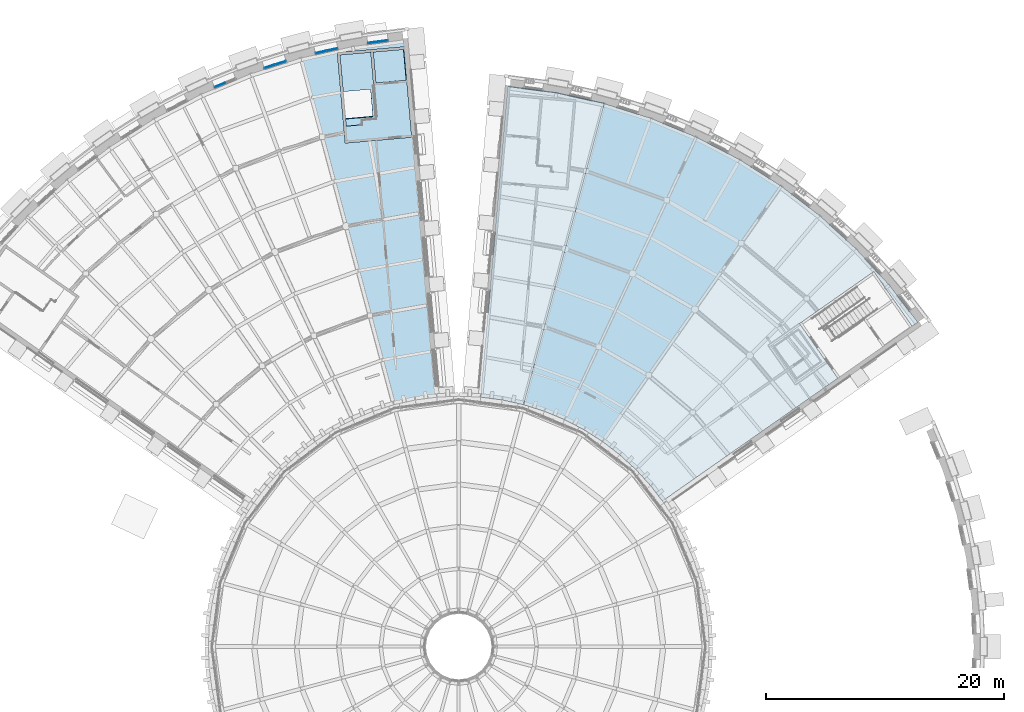
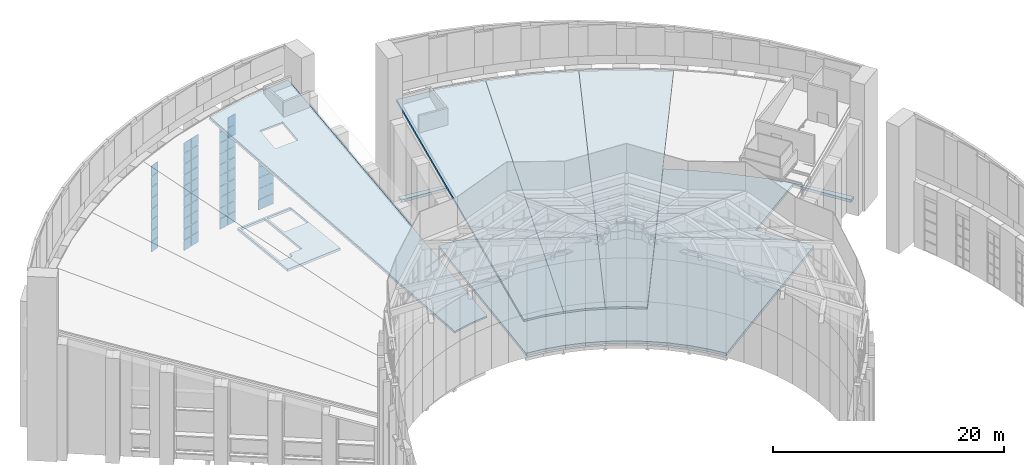
# One storey, part 49 of 82: 53 plates, 6 slabs, 4 elements without a shape of their own.
"""IFC4 building model written with IfcOpenShell, lengths in metres."""

from ifc_helpers import new_model, si_unit, direction, frame, origin, origin_2d, place, context, subcontext, project, spatial, polyline, rectangle, outline, extrude, material, layer, layer_set, type_object, element, aggregate, save


model = new_model("IFC4")

# Units and contexts
model_context = context("Model", 3, precision=1e-05, world=origin(), true_north=direction((0.0, 1.0)))
body_context = subcontext(model_context, "Body", "Model", "MODEL_VIEW")
ifc_project = project(units=[si_unit("LENGTHUNIT", "METRE"), si_unit("AREAUNIT", "SQUARE_METRE"), si_unit("VOLUMEUNIT", "CUBIC_METRE"), si_unit("PLANEANGLEUNIT", "RADIAN"), si_unit("MASSUNIT", "GRAM", prefix="KILO")], contexts=[model_context])

# Site, building, storey
site_placement = place(None, origin())
site = spatial("IfcSite", under=ifc_project, at=site_placement, CompositionType="ELEMENT")
building_placement = place(site_placement, origin())
building = spatial("IfcBuilding", under=site, at=building_placement, Name="Volute Hill Aquarium", CompositionType="ELEMENT")
storey_placement = place(building_placement, frame((0.0, 0.0, 13.800048828125)))
storey = spatial("IfcBuildingStorey", under=building, at=storey_placement, Name="L04", CompositionType="ELEMENT", Elevation=13.800048828125)

# Slab
ifc_material_1 = material(Name="Concrete C30/37", Category="concrete")
ifc_layer_1 = layer(ifc_material_1, 0.25)
ifc_layer_set_1 = layer_set([ifc_layer_1], Name="Core floor slab 250")
slab_type_1 = type_object("IfcSlabType", Name="Core floor slab 250", PredefinedType="FLOOR", material=ifc_layer_set_1)
slab_1_placement = place(storey_placement, frame((0.0, 0.0, -0.25)))
element("IfcSlab", 1, at=slab_1_placement, inside=storey, type_object=slab_type_1, Name="cs/S6-A/L04", PredefinedType="FLOOR", context=body_context, shape_type="SweptSolid", body=[
    extrude(outline(polyline([(-3.938232421875, 42.71923828125), (-4.6005859375, 50.290283203125), (-10.17919921875, 49.80224609375), (-9.516845703125, 42.231201171875), (-3.938232421875, 42.71923828125)]), holes=[polyline([(-6.94677734375, 47.2744140625), (-7.17333984375, 49.864501953125), (-4.633056640625, 50.0869140625), (-4.406494140625, 47.49658203125), (-6.94677734375, 47.2744140625)]), polyline([(-8.183837890625, 44.204833984375), (-8.144775390625, 43.758544921875), (-9.43994140625, 43.645263671875), (-9.962646484375, 49.62060546875), (-7.37255859375, 49.84716796875), (-6.888916015625, 44.318115234375), (-8.183837890625, 44.204833984375)])]), origin(), (0.0, 0.0, 1.0), 0.25),
])

# Curtain wall, plates
ifc_material_2 = material(Name="Aluminium", Category="aluminium")
ifc_layer_2 = layer(ifc_material_2, 0.25)
ifc_layer_set_2 = layer_set([ifc_layer_2], Name="Curtain wall niche S6 module 1734")
curtain_wall_type_1 = type_object("IfcCurtainWallType", Name="Curtain wall niche S6 module 1734", PredefinedType="NOTDEFINED", material=ifc_layer_set_2)
curtain_wall_1_placement = place(storey_placement, origin())
curtain_wall_1 = element("IfcCurtainWall", 2, at=curtain_wall_1_placement, inside=storey, type_object=curtain_wall_type_1, Name="Curtain wall CW S6 L04 1", PredefinedType="NOTDEFINED")
ifc_material_3 = material(Name="Glass, low-iron laminated", Category="glass")
ifc_layer_3 = layer(ifc_material_3, 0.0439453125)
ifc_layer_set_3 = layer_set([ifc_layer_3], Name="Curtain wall glass panel S6 44")
plate_type_1 = type_object("IfcPlateType", Name="Curtain wall glass panel S6 44", PredefinedType="CURTAIN_PANEL", material=ifc_layer_set_3)
plate_1_placement = place(storey_placement, frame((-6.779052734375, 50.72509765625, 1.62451171875), z_axis=(0.0, 0.0, 1.0), x_axis=(-0.99144508504, -0.130524493298, 0.0)))
plate_1 = element("IfcPlate", 3, at=plate_1_placement, type_object=plate_type_1, Name="CW panel 1.2", PredefinedType="CURTAIN_PANEL", context=body_context, shape_type="SweptSolid", body=[
    extrude(rectangle(XDim=1.633544921875, YDim=0.0439453125, at=origin_2d()), origin(), (0.0, 0.0, 1.0), 1.099365234375),
])
plate_2_placement = place(storey_placement, frame((-6.779052734375, 50.72509765625, 2.77392578125), z_axis=(0.0, 0.0, 1.0), x_axis=(-0.99144508504, -0.130524493298, 0.0)))
plate_2 = element("IfcPlate", 4, at=plate_2_placement, type_object=plate_type_1, Name="CW panel 1.3", PredefinedType="CURTAIN_PANEL", context=body_context, shape_type="SweptSolid", body=[
    extrude(rectangle(XDim=1.633544921875, YDim=0.0439453125, at=origin_2d()), origin(), (0.0, 0.0, 1.0), 1.099365234375),
])
plate_3_placement = place(storey_placement, frame((-6.779052734375, 50.72509765625, 3.9228515625), z_axis=(0.0, 0.0, 1.0), x_axis=(-0.99144508504, -0.130524493298, 0.0)))
plate_3 = element("IfcPlate", 5, at=plate_3_placement, type_object=plate_type_1, Name="CW panel 1.4", PredefinedType="CURTAIN_PANEL", context=body_context, shape_type="SweptSolid", body=[
    extrude(rectangle(XDim=1.633544921875, YDim=0.0439453125, at=origin_2d()), origin(), (0.0, 0.0, 1.0), 1.099365234375),
])
plate_4_placement = place(storey_placement, frame((-6.779052734375, 50.72509765625, 5.072265625), z_axis=(0.0, 0.0, 1.0), x_axis=(-0.99144508504, -0.130524493298, 0.0)))
plate_4 = element("IfcPlate", 6, at=plate_4_placement, type_object=plate_type_1, Name="CW panel 1.5", PredefinedType="CURTAIN_PANEL", context=body_context, shape_type="SweptSolid", body=[
    extrude(rectangle(XDim=1.633544921875, YDim=0.0439453125, at=origin_2d()), origin(), (0.0, 0.0, 1.0), 1.099365234375),
])

ifc_material_4 = material(Name="Aluminium", Category="aluminium")
ifc_layer_4 = layer(ifc_material_4, 0.25)
ifc_layer_set_4 = layer_set([ifc_layer_4], Name="Curtain wall niche S6 module 967")
curtain_wall_type_2 = type_object("IfcCurtainWallType", Name="Curtain wall niche S6 module 967", PredefinedType="NOTDEFINED", material=ifc_layer_set_4)
curtain_wall_2_placement = place(storey_placement, origin())
curtain_wall_2 = element("IfcCurtainWall", 7, at=curtain_wall_2_placement, inside=storey, type_object=curtain_wall_type_2, Name="Curtain wall CW S6 L04 2", PredefinedType="NOTDEFINED")
plate_5_placement = place(storey_placement, frame((-10.61669921875, 50.064697265625, 1.6240234375), z_axis=(0.0, 0.0, 1.0), x_axis=(-0.976298264105, -0.216429433084, 0.0)))
plate_5 = element("IfcPlate", 8, at=plate_5_placement, type_object=plate_type_1, Name="CW panel 1.2", PredefinedType="CURTAIN_PANEL", context=body_context, shape_type="SweptSolid", body=[
    extrude(rectangle(XDim=0.891845703125, YDim=0.0439453125, at=origin_2d()), origin(), (0.0, 0.0, 1.0), 1.09912109375),
])
plate_6_placement = place(storey_placement, frame((-10.61669921875, 50.064697265625, 2.773193359375), z_axis=(0.0, 0.0, 1.0), x_axis=(-0.976298264105, -0.216429433084, 0.0)))
plate_6 = element("IfcPlate", 9, at=plate_6_placement, type_object=plate_type_1, Name="CW panel 1.3", PredefinedType="CURTAIN_PANEL", context=body_context, shape_type="SweptSolid", body=[
    extrude(rectangle(XDim=0.891845703125, YDim=0.0439453125, at=origin_2d()), origin(), (0.0, 0.0, 1.0), 1.09912109375),
])
plate_7_placement = place(storey_placement, frame((-10.61669921875, 50.064697265625, 3.92236328125), z_axis=(0.0, 0.0, 1.0), x_axis=(-0.976298264105, -0.216429433084, 0.0)))
plate_7 = element("IfcPlate", 10, at=plate_7_placement, type_object=plate_type_1, Name="CW panel 1.4", PredefinedType="CURTAIN_PANEL", context=body_context, shape_type="SweptSolid", body=[
    extrude(rectangle(XDim=0.891845703125, YDim=0.0439453125, at=origin_2d()), origin(), (0.0, 0.0, 1.0), 1.09912109375),
])
plate_8_placement = place(storey_placement, frame((-10.61669921875, 50.064697265625, 5.071533203125), z_axis=(0.0, 0.0, 1.0), x_axis=(-0.976298264105, -0.216429433084, 0.0)))
plate_8 = element("IfcPlate", 11, at=plate_8_placement, type_object=plate_type_1, Name="CW panel 1.5", PredefinedType="CURTAIN_PANEL", context=body_context, shape_type="SweptSolid", body=[
    extrude(rectangle(XDim=0.891845703125, YDim=0.0439453125, at=origin_2d()), origin(), (0.0, 0.0, 1.0), 1.09912109375),
])
plate_9_placement = place(storey_placement, frame((-10.61669921875, 50.064697265625, 6.220703125), z_axis=(0.0, 0.0, 1.0), x_axis=(-0.976298264105, -0.216429433084, 0.0)))
plate_9 = element("IfcPlate", 12, at=plate_9_placement, type_object=plate_type_1, Name="CW panel 1.6", PredefinedType="CURTAIN_PANEL", context=body_context, shape_type="SweptSolid", body=[
    extrude(rectangle(XDim=0.891845703125, YDim=0.0439453125, at=origin_2d()), origin(), (0.0, 0.0, 1.0), 1.09912109375),
])
plate_10_placement = place(storey_placement, frame((-10.61669921875, 50.064697265625, 7.369873046875), z_axis=(0.0, 0.0, 1.0), x_axis=(-0.976298264105, -0.216429433084, 0.0)))
plate_10 = element("IfcPlate", 13, at=plate_10_placement, type_object=plate_type_1, Name="CW panel 1.7", PredefinedType="CURTAIN_PANEL", context=body_context, shape_type="SweptSolid", body=[
    extrude(rectangle(XDim=0.891845703125, YDim=0.0439453125, at=origin_2d()), origin(), (0.0, 0.0, 1.0), 1.09912109375),
])
plate_11_placement = place(storey_placement, frame((-10.61669921875, 50.064697265625, 8.51904296875), z_axis=(0.0, 0.0, 1.0), x_axis=(-0.976298264105, -0.216429433084, 0.0)))
plate_11 = element("IfcPlate", 14, at=plate_11_placement, type_object=plate_type_1, Name="CW panel 1.8", PredefinedType="CURTAIN_PANEL", context=body_context, shape_type="SweptSolid", body=[
    extrude(rectangle(XDim=0.891845703125, YDim=0.0439453125, at=origin_2d()), origin(), (0.0, 0.0, 1.0), 1.09912109375),
])
plate_12_placement = place(storey_placement, frame((-10.61669921875, 50.064697265625, 9.66796875), z_axis=(0.0, 0.0, 1.0), x_axis=(-0.976298264105, -0.216429433084, 0.0)))
plate_12 = element("IfcPlate", 15, at=plate_12_placement, type_object=plate_type_1, Name="CW panel 1.9", PredefinedType="CURTAIN_PANEL", context=body_context, shape_type="SweptSolid", body=[
    extrude(rectangle(XDim=0.891845703125, YDim=0.0439453125, at=origin_2d()), origin(), (0.0, 0.0, 1.0), 1.09912109375),
])
plate_13_placement = place(storey_placement, frame((-10.61669921875, 50.064697265625, 10.817138671875), z_axis=(0.0, 0.0, 1.0), x_axis=(-0.976298264105, -0.216429433084, 0.0)))
plate_13 = element("IfcPlate", 16, at=plate_13_placement, type_object=plate_type_1, Name="CW panel 1.10", PredefinedType="CURTAIN_PANEL", context=body_context, shape_type="SweptSolid", body=[
    extrude(rectangle(XDim=0.891845703125, YDim=0.0439453125, at=origin_2d()), origin(), (0.0, 0.0, 1.0), 1.07421875),
])
plate_14_placement = place(storey_placement, frame((-11.536376953125, 49.86083984375, 1.6240234375), z_axis=(0.0, 0.0, 1.0), x_axis=(-0.976298264105, -0.216429433084, 0.0)))
plate_14 = element("IfcPlate", 17, at=plate_14_placement, type_object=plate_type_1, Name="CW panel 2.2", PredefinedType="CURTAIN_PANEL", context=body_context, shape_type="SweptSolid", body=[
    extrude(rectangle(XDim=0.891845703125, YDim=0.0439453125, at=origin_2d()), origin(), (0.0, 0.0, 1.0), 1.09912109375),
])
plate_15_placement = place(storey_placement, frame((-11.536376953125, 49.86083984375, 2.773193359375), z_axis=(0.0, 0.0, 1.0), x_axis=(-0.976298264105, -0.216429433084, 0.0)))
plate_15 = element("IfcPlate", 18, at=plate_15_placement, type_object=plate_type_1, Name="CW panel 2.3", PredefinedType="CURTAIN_PANEL", context=body_context, shape_type="SweptSolid", body=[
    extrude(rectangle(XDim=0.891845703125, YDim=0.0439453125, at=origin_2d()), origin(), (0.0, 0.0, 1.0), 1.09912109375),
])
plate_16_placement = place(storey_placement, frame((-11.536376953125, 49.86083984375, 3.92236328125), z_axis=(0.0, 0.0, 1.0), x_axis=(-0.976298264105, -0.216429433084, 0.0)))
plate_16 = element("IfcPlate", 19, at=plate_16_placement, type_object=plate_type_1, Name="CW panel 2.4", PredefinedType="CURTAIN_PANEL", context=body_context, shape_type="SweptSolid", body=[
    extrude(rectangle(XDim=0.891845703125, YDim=0.0439453125, at=origin_2d()), origin(), (0.0, 0.0, 1.0), 1.09912109375),
])
plate_17_placement = place(storey_placement, frame((-11.536376953125, 49.86083984375, 5.071533203125), z_axis=(0.0, 0.0, 1.0), x_axis=(-0.976298264105, -0.216429433084, 0.0)))
plate_17 = element("IfcPlate", 20, at=plate_17_placement, type_object=plate_type_1, Name="CW panel 2.5", PredefinedType="CURTAIN_PANEL", context=body_context, shape_type="SweptSolid", body=[
    extrude(rectangle(XDim=0.891845703125, YDim=0.0439453125, at=origin_2d()), origin(), (0.0, 0.0, 1.0), 1.09912109375),
])
plate_18_placement = place(storey_placement, frame((-11.536376953125, 49.86083984375, 6.220703125), z_axis=(0.0, 0.0, 1.0), x_axis=(-0.976298264105, -0.216429433084, 0.0)))
plate_18 = element("IfcPlate", 21, at=plate_18_placement, type_object=plate_type_1, Name="CW panel 2.6", PredefinedType="CURTAIN_PANEL", context=body_context, shape_type="SweptSolid", body=[
    extrude(rectangle(XDim=0.891845703125, YDim=0.0439453125, at=origin_2d()), origin(), (0.0, 0.0, 1.0), 1.09912109375),
])
plate_19_placement = place(storey_placement, frame((-11.536376953125, 49.86083984375, 7.369873046875), z_axis=(0.0, 0.0, 1.0), x_axis=(-0.976298264105, -0.216429433084, 0.0)))
plate_19 = element("IfcPlate", 22, at=plate_19_placement, type_object=plate_type_1, Name="CW panel 2.7", PredefinedType="CURTAIN_PANEL", context=body_context, shape_type="SweptSolid", body=[
    extrude(rectangle(XDim=0.891845703125, YDim=0.0439453125, at=origin_2d()), origin(), (0.0, 0.0, 1.0), 1.09912109375),
])
plate_20_placement = place(storey_placement, frame((-11.536376953125, 49.86083984375, 8.51904296875), z_axis=(0.0, 0.0, 1.0), x_axis=(-0.976298264105, -0.216429433084, 0.0)))
plate_20 = element("IfcPlate", 23, at=plate_20_placement, type_object=plate_type_1, Name="CW panel 2.8", PredefinedType="CURTAIN_PANEL", context=body_context, shape_type="SweptSolid", body=[
    extrude(rectangle(XDim=0.891845703125, YDim=0.0439453125, at=origin_2d()), origin(), (0.0, 0.0, 1.0), 1.09912109375),
])
plate_21_placement = place(storey_placement, frame((-11.536376953125, 49.86083984375, 9.66796875), z_axis=(0.0, 0.0, 1.0), x_axis=(-0.976298264105, -0.216429433084, 0.0)))
plate_21 = element("IfcPlate", 24, at=plate_21_placement, type_object=plate_type_1, Name="CW panel 2.9", PredefinedType="CURTAIN_PANEL", context=body_context, shape_type="SweptSolid", body=[
    extrude(rectangle(XDim=0.891845703125, YDim=0.0439453125, at=origin_2d()), origin(), (0.0, 0.0, 1.0), 1.09912109375),
])
plate_22_placement = place(storey_placement, frame((-11.536376953125, 49.86083984375, 10.817138671875), z_axis=(0.0, 0.0, 1.0), x_axis=(-0.976298264105, -0.216429433084, 0.0)))
plate_22 = element("IfcPlate", 25, at=plate_22_placement, type_object=plate_type_1, Name="CW panel 2.10", PredefinedType="CURTAIN_PANEL", context=body_context, shape_type="SweptSolid", body=[
    extrude(rectangle(XDim=0.891845703125, YDim=0.0439453125, at=origin_2d()), origin(), (0.0, 0.0, 1.0), 1.07421875),
])

curtain_wall_3_placement = place(storey_placement, origin())
curtain_wall_3 = element("IfcCurtainWall", 26, at=curtain_wall_3_placement, inside=storey, type_object=curtain_wall_type_2, Name="Curtain wall CW S6 L04 3", PredefinedType="NOTDEFINED")
plate_23_placement = place(storey_placement, frame((-14.939697265625, 48.948974609375, 1.6240234375), z_axis=(0.0, 0.0, 1.0), x_axis=(-0.953716759337, -0.300706406582, 0.0)))
plate_23 = element("IfcPlate", 27, at=plate_23_placement, type_object=plate_type_1, Name="CW panel 1.2", PredefinedType="CURTAIN_PANEL", context=body_context, shape_type="SweptSolid", body=[
    extrude(rectangle(XDim=0.891845703125, YDim=0.0439453125, at=origin_2d()), origin(), (0.0, 0.0, 1.0), 1.09912109375),
])
plate_24_placement = place(storey_placement, frame((-14.939697265625, 48.948974609375, 2.773193359375), z_axis=(0.0, 0.0, 1.0), x_axis=(-0.953716759337, -0.300706406582, 0.0)))
plate_24 = element("IfcPlate", 28, at=plate_24_placement, type_object=plate_type_1, Name="CW panel 1.3", PredefinedType="CURTAIN_PANEL", context=body_context, shape_type="SweptSolid", body=[
    extrude(rectangle(XDim=0.891845703125, YDim=0.0439453125, at=origin_2d()), origin(), (0.0, 0.0, 1.0), 1.09912109375),
])
plate_25_placement = place(storey_placement, frame((-14.939697265625, 48.948974609375, 3.92236328125), z_axis=(0.0, 0.0, 1.0), x_axis=(-0.953716759337, -0.300706406582, 0.0)))
plate_25 = element("IfcPlate", 29, at=plate_25_placement, type_object=plate_type_1, Name="CW panel 1.4", PredefinedType="CURTAIN_PANEL", context=body_context, shape_type="SweptSolid", body=[
    extrude(rectangle(XDim=0.891845703125, YDim=0.0439453125, at=origin_2d()), origin(), (0.0, 0.0, 1.0), 1.09912109375),
])
plate_26_placement = place(storey_placement, frame((-14.939697265625, 48.948974609375, 5.071533203125), z_axis=(0.0, 0.0, 1.0), x_axis=(-0.953716759337, -0.300706406582, 0.0)))
plate_26 = element("IfcPlate", 30, at=plate_26_placement, type_object=plate_type_1, Name="CW panel 1.5", PredefinedType="CURTAIN_PANEL", context=body_context, shape_type="SweptSolid", body=[
    extrude(rectangle(XDim=0.891845703125, YDim=0.0439453125, at=origin_2d()), origin(), (0.0, 0.0, 1.0), 1.09912109375),
])
plate_27_placement = place(storey_placement, frame((-14.939697265625, 48.948974609375, 6.220703125), z_axis=(0.0, 0.0, 1.0), x_axis=(-0.953716759337, -0.300706406582, 0.0)))
plate_27 = element("IfcPlate", 31, at=plate_27_placement, type_object=plate_type_1, Name="CW panel 1.6", PredefinedType="CURTAIN_PANEL", context=body_context, shape_type="SweptSolid", body=[
    extrude(rectangle(XDim=0.891845703125, YDim=0.0439453125, at=origin_2d()), origin(), (0.0, 0.0, 1.0), 1.09912109375),
])
plate_28_placement = place(storey_placement, frame((-14.939697265625, 48.948974609375, 7.369873046875), z_axis=(0.0, 0.0, 1.0), x_axis=(-0.953716759337, -0.300706406582, 0.0)))
plate_28 = element("IfcPlate", 32, at=plate_28_placement, type_object=plate_type_1, Name="CW panel 1.7", PredefinedType="CURTAIN_PANEL", context=body_context, shape_type="SweptSolid", body=[
    extrude(rectangle(XDim=0.891845703125, YDim=0.0439453125, at=origin_2d()), origin(), (0.0, 0.0, 1.0), 1.09912109375),
])
plate_29_placement = place(storey_placement, frame((-14.939697265625, 48.948974609375, 8.51904296875), z_axis=(0.0, 0.0, 1.0), x_axis=(-0.953716759337, -0.300706406582, 0.0)))
plate_29 = element("IfcPlate", 33, at=plate_29_placement, type_object=plate_type_1, Name="CW panel 1.8", PredefinedType="CURTAIN_PANEL", context=body_context, shape_type="SweptSolid", body=[
    extrude(rectangle(XDim=0.891845703125, YDim=0.0439453125, at=origin_2d()), origin(), (0.0, 0.0, 1.0), 1.09912109375),
])
plate_30_placement = place(storey_placement, frame((-14.939697265625, 48.948974609375, 9.66796875), z_axis=(0.0, 0.0, 1.0), x_axis=(-0.953716759337, -0.300706406582, 0.0)))
plate_30 = element("IfcPlate", 34, at=plate_30_placement, type_object=plate_type_1, Name="CW panel 1.9", PredefinedType="CURTAIN_PANEL", context=body_context, shape_type="SweptSolid", body=[
    extrude(rectangle(XDim=0.891845703125, YDim=0.0439453125, at=origin_2d()), origin(), (0.0, 0.0, 1.0), 1.09912109375),
])
plate_31_placement = place(storey_placement, frame((-14.939697265625, 48.948974609375, 10.817138671875), z_axis=(0.0, 0.0, 1.0), x_axis=(-0.953716759337, -0.300706406582, 0.0)))
plate_31 = element("IfcPlate", 35, at=plate_31_placement, type_object=plate_type_1, Name="CW panel 1.10", PredefinedType="CURTAIN_PANEL", context=body_context, shape_type="SweptSolid", body=[
    extrude(rectangle(XDim=0.891845703125, YDim=0.0439453125, at=origin_2d()), origin(), (0.0, 0.0, 1.0), 1.07421875),
])
plate_32_placement = place(storey_placement, frame((-15.838134765625, 48.665771484375, 1.6240234375), z_axis=(0.0, 0.0, 1.0), x_axis=(-0.953716759337, -0.300706406582, 0.0)))
plate_32 = element("IfcPlate", 36, at=plate_32_placement, type_object=plate_type_1, Name="CW panel 2.2", PredefinedType="CURTAIN_PANEL", context=body_context, shape_type="SweptSolid", body=[
    extrude(rectangle(XDim=0.891845703125, YDim=0.0439453125, at=origin_2d()), origin(), (0.0, 0.0, 1.0), 1.09912109375),
])
plate_33_placement = place(storey_placement, frame((-15.838134765625, 48.665771484375, 2.773193359375), z_axis=(0.0, 0.0, 1.0), x_axis=(-0.953716759337, -0.300706406582, 0.0)))
plate_33 = element("IfcPlate", 37, at=plate_33_placement, type_object=plate_type_1, Name="CW panel 2.3", PredefinedType="CURTAIN_PANEL", context=body_context, shape_type="SweptSolid", body=[
    extrude(rectangle(XDim=0.891845703125, YDim=0.0439453125, at=origin_2d()), origin(), (0.0, 0.0, 1.0), 1.09912109375),
])
plate_34_placement = place(storey_placement, frame((-15.838134765625, 48.665771484375, 3.92236328125), z_axis=(0.0, 0.0, 1.0), x_axis=(-0.953716759337, -0.300706406582, 0.0)))
plate_34 = element("IfcPlate", 38, at=plate_34_placement, type_object=plate_type_1, Name="CW panel 2.4", PredefinedType="CURTAIN_PANEL", context=body_context, shape_type="SweptSolid", body=[
    extrude(rectangle(XDim=0.891845703125, YDim=0.0439453125, at=origin_2d()), origin(), (0.0, 0.0, 1.0), 1.09912109375),
])
plate_35_placement = place(storey_placement, frame((-15.838134765625, 48.665771484375, 5.071533203125), z_axis=(0.0, 0.0, 1.0), x_axis=(-0.953716759337, -0.300706406582, 0.0)))
plate_35 = element("IfcPlate", 39, at=plate_35_placement, type_object=plate_type_1, Name="CW panel 2.5", PredefinedType="CURTAIN_PANEL", context=body_context, shape_type="SweptSolid", body=[
    extrude(rectangle(XDim=0.891845703125, YDim=0.0439453125, at=origin_2d()), origin(), (0.0, 0.0, 1.0), 1.09912109375),
])
plate_36_placement = place(storey_placement, frame((-15.838134765625, 48.665771484375, 6.220703125), z_axis=(0.0, 0.0, 1.0), x_axis=(-0.953716759337, -0.300706406582, 0.0)))
plate_36 = element("IfcPlate", 40, at=plate_36_placement, type_object=plate_type_1, Name="CW panel 2.6", PredefinedType="CURTAIN_PANEL", context=body_context, shape_type="SweptSolid", body=[
    extrude(rectangle(XDim=0.891845703125, YDim=0.0439453125, at=origin_2d()), origin(), (0.0, 0.0, 1.0), 1.09912109375),
])
plate_37_placement = place(storey_placement, frame((-15.838134765625, 48.665771484375, 7.369873046875), z_axis=(0.0, 0.0, 1.0), x_axis=(-0.953716759337, -0.300706406582, 0.0)))
plate_37 = element("IfcPlate", 41, at=plate_37_placement, type_object=plate_type_1, Name="CW panel 2.7", PredefinedType="CURTAIN_PANEL", context=body_context, shape_type="SweptSolid", body=[
    extrude(rectangle(XDim=0.891845703125, YDim=0.0439453125, at=origin_2d()), origin(), (0.0, 0.0, 1.0), 1.09912109375),
])
plate_38_placement = place(storey_placement, frame((-15.838134765625, 48.665771484375, 8.51904296875), z_axis=(0.0, 0.0, 1.0), x_axis=(-0.953716759337, -0.300706406582, 0.0)))
plate_38 = element("IfcPlate", 42, at=plate_38_placement, type_object=plate_type_1, Name="CW panel 2.8", PredefinedType="CURTAIN_PANEL", context=body_context, shape_type="SweptSolid", body=[
    extrude(rectangle(XDim=0.891845703125, YDim=0.0439453125, at=origin_2d()), origin(), (0.0, 0.0, 1.0), 1.09912109375),
])
plate_39_placement = place(storey_placement, frame((-15.838134765625, 48.665771484375, 9.66796875), z_axis=(0.0, 0.0, 1.0), x_axis=(-0.953716759337, -0.300706406582, 0.0)))
plate_39 = element("IfcPlate", 43, at=plate_39_placement, type_object=plate_type_1, Name="CW panel 2.9", PredefinedType="CURTAIN_PANEL", context=body_context, shape_type="SweptSolid", body=[
    extrude(rectangle(XDim=0.891845703125, YDim=0.0439453125, at=origin_2d()), origin(), (0.0, 0.0, 1.0), 1.09912109375),
])
plate_40_placement = place(storey_placement, frame((-15.838134765625, 48.665771484375, 10.817138671875), z_axis=(0.0, 0.0, 1.0), x_axis=(-0.953716759337, -0.300706406582, 0.0)))
plate_40 = element("IfcPlate", 44, at=plate_40_placement, type_object=plate_type_1, Name="CW panel 2.10", PredefinedType="CURTAIN_PANEL", context=body_context, shape_type="SweptSolid", body=[
    extrude(rectangle(XDim=0.891845703125, YDim=0.0439453125, at=origin_2d()), origin(), (0.0, 0.0, 1.0), 1.07421875),
])

curtain_wall_4_placement = place(storey_placement, origin())
curtain_wall_4 = element("IfcCurtainWall", 45, at=curtain_wall_4_placement, inside=storey, type_object=curtain_wall_type_2, Name="Curtain wall CW S6 L04 4", PredefinedType="NOTDEFINED")
plate_41_placement = place(storey_placement, frame((-20.019287109375, 47.10009765625, 2.773193359375), z_axis=(0.0, 0.0, 1.0), x_axis=(-0.923881012069, -0.382679860378, 0.0)))
plate_41 = element("IfcPlate", 46, at=plate_41_placement, type_object=plate_type_1, Name="CW panel 2.3", PredefinedType="CURTAIN_PANEL", context=body_context, shape_type="SweptSolid", body=[
    extrude(rectangle(XDim=0.891845703125, YDim=0.0439453125, at=origin_2d()), origin(), (0.0, 0.0, 1.0), 1.09912109375),
])
plate_42_placement = place(storey_placement, frame((-20.019287109375, 47.10009765625, 3.92236328125), z_axis=(0.0, 0.0, 1.0), x_axis=(-0.923881012069, -0.382679860378, 0.0)))
plate_42 = element("IfcPlate", 47, at=plate_42_placement, type_object=plate_type_1, Name="CW panel 2.4", PredefinedType="CURTAIN_PANEL", context=body_context, shape_type="SweptSolid", body=[
    extrude(rectangle(XDim=0.891845703125, YDim=0.0439453125, at=origin_2d()), origin(), (0.0, 0.0, 1.0), 1.09912109375),
])
plate_43_placement = place(storey_placement, frame((-20.019287109375, 47.10009765625, 5.071533203125), z_axis=(0.0, 0.0, 1.0), x_axis=(-0.923881012069, -0.382679860378, 0.0)))
plate_43 = element("IfcPlate", 48, at=plate_43_placement, type_object=plate_type_1, Name="CW panel 2.5", PredefinedType="CURTAIN_PANEL", context=body_context, shape_type="SweptSolid", body=[
    extrude(rectangle(XDim=0.891845703125, YDim=0.0439453125, at=origin_2d()), origin(), (0.0, 0.0, 1.0), 1.09912109375),
])
plate_44_placement = place(storey_placement, frame((-20.019287109375, 47.10009765625, 6.220703125), z_axis=(0.0, 0.0, 1.0), x_axis=(-0.923881012069, -0.382679860378, 0.0)))
plate_44 = element("IfcPlate", 49, at=plate_44_placement, type_object=plate_type_1, Name="CW panel 2.6", PredefinedType="CURTAIN_PANEL", context=body_context, shape_type="SweptSolid", body=[
    extrude(rectangle(XDim=0.891845703125, YDim=0.0439453125, at=origin_2d()), origin(), (0.0, 0.0, 1.0), 1.09912109375),
])
plate_45_placement = place(storey_placement, frame((-20.019287109375, 47.10009765625, 7.369873046875), z_axis=(0.0, 0.0, 1.0), x_axis=(-0.923881012069, -0.382679860378, 0.0)))
plate_45 = element("IfcPlate", 50, at=plate_45_placement, type_object=plate_type_1, Name="CW panel 2.7", PredefinedType="CURTAIN_PANEL", context=body_context, shape_type="SweptSolid", body=[
    extrude(rectangle(XDim=0.891845703125, YDim=0.0439453125, at=origin_2d()), origin(), (0.0, 0.0, 1.0), 1.09912109375),
])
plate_46_placement = place(storey_placement, frame((-20.019287109375, 47.10009765625, 8.51904296875), z_axis=(0.0, 0.0, 1.0), x_axis=(-0.923881012069, -0.382679860378, 0.0)))
plate_46 = element("IfcPlate", 51, at=plate_46_placement, type_object=plate_type_1, Name="CW panel 2.8", PredefinedType="CURTAIN_PANEL", context=body_context, shape_type="SweptSolid", body=[
    extrude(rectangle(XDim=0.891845703125, YDim=0.0439453125, at=origin_2d()), origin(), (0.0, 0.0, 1.0), 1.09912109375),
])
plate_47_placement = place(storey_placement, frame((-20.019287109375, 47.10009765625, 9.66796875), z_axis=(0.0, 0.0, 1.0), x_axis=(-0.923881012069, -0.382679860378, 0.0)))
plate_47 = element("IfcPlate", 52, at=plate_47_placement, type_object=plate_type_1, Name="CW panel 2.9", PredefinedType="CURTAIN_PANEL", context=body_context, shape_type="SweptSolid", body=[
    extrude(rectangle(XDim=0.891845703125, YDim=0.0439453125, at=origin_2d()), origin(), (0.0, 0.0, 1.0), 1.09912109375),
])
plate_48_placement = place(storey_placement, frame((-20.019287109375, 47.10009765625, 10.817138671875), z_axis=(0.0, 0.0, 1.0), x_axis=(-0.923881012069, -0.382679860378, 0.0)))
plate_48 = element("IfcPlate", 53, at=plate_48_placement, type_object=plate_type_1, Name="CW panel 2.10", PredefinedType="CURTAIN_PANEL", context=body_context, shape_type="SweptSolid", body=[
    extrude(rectangle(XDim=0.891845703125, YDim=0.0439453125, at=origin_2d()), origin(), (0.0, 0.0, 1.0), 1.07421875),
])
aggregate(curtain_wall_4, [plate_41, plate_42, plate_43, plate_44, plate_45, plate_46, plate_47, plate_48])

# Plate
ifc_material_5 = material(Name="Aluminium", Category="aluminium")
ifc_layer_5 = layer(ifc_material_5, 0.06005859375)
ifc_layer_set_5 = layer_set([ifc_layer_5], Name="Curtain wall insulated spandrel panel 60")
plate_type_2 = type_object("IfcPlateType", Name="Curtain wall insulated spandrel panel 60", PredefinedType="CURTAIN_PANEL", material=ifc_layer_set_5)
plate_49_placement = place(storey_placement, frame((-6.779052734375, 50.72509765625, 0.5), z_axis=(0.0, 0.0, 1.0), x_axis=(-0.99144508504, -0.130524493298, 0.0)))
plate_49 = element("IfcPlate", 54, at=plate_49_placement, type_object=plate_type_2, Name="CW panel 1.1", PredefinedType="CURTAIN_PANEL", context=body_context, shape_type="SweptSolid", body=[
    extrude(rectangle(XDim=1.633544921875, YDim=0.06005859375, at=origin_2d()), origin(), (0.0, 0.0, 1.0), 1.074462890625),
])

aggregate(curtain_wall_1, [plate_49, plate_1, plate_2, plate_3, plate_4])

plate_50_placement = place(storey_placement, frame((-10.61669921875, 50.064697265625, 0.5), z_axis=(0.0, 0.0, 1.0), x_axis=(-0.976298264105, -0.216429433084, 0.0)))
plate_50 = element("IfcPlate", 55, at=plate_50_placement, type_object=plate_type_2, Name="CW panel 1.1", PredefinedType="CURTAIN_PANEL", context=body_context, shape_type="SweptSolid", body=[
    extrude(rectangle(XDim=0.891845703125, YDim=0.06005859375, at=origin_2d()), origin(), (0.0, 0.0, 1.0), 1.07421875),
])

plate_51_placement = place(storey_placement, frame((-11.536376953125, 49.86083984375, 0.5), z_axis=(0.0, 0.0, 1.0), x_axis=(-0.976298264105, -0.216429433084, 0.0)))
plate_51 = element("IfcPlate", 56, at=plate_51_placement, type_object=plate_type_2, Name="CW panel 2.1", PredefinedType="CURTAIN_PANEL", context=body_context, shape_type="SweptSolid", body=[
    extrude(rectangle(XDim=0.891845703125, YDim=0.06005859375, at=origin_2d()), origin(), (0.0, 0.0, 1.0), 1.07421875),
])

aggregate(curtain_wall_2, [plate_50, plate_5, plate_6, plate_7, plate_8, plate_9, plate_10, plate_11, plate_12, plate_13, plate_51, plate_14, plate_15, plate_16, plate_17, plate_18, plate_19, plate_20, plate_21, plate_22])

plate_52_placement = place(storey_placement, frame((-14.939697265625, 48.948974609375, 0.5), z_axis=(0.0, 0.0, 1.0), x_axis=(-0.953716759337, -0.300706406582, 0.0)))
plate_52 = element("IfcPlate", 57, at=plate_52_placement, type_object=plate_type_2, Name="CW panel 1.1", PredefinedType="CURTAIN_PANEL", context=body_context, shape_type="SweptSolid", body=[
    extrude(rectangle(XDim=0.891845703125, YDim=0.06005859375, at=origin_2d()), origin(), (0.0, 0.0, 1.0), 1.07421875),
])

plate_53_placement = place(storey_placement, frame((-15.838134765625, 48.665771484375, 0.5), z_axis=(0.0, 0.0, 1.0), x_axis=(-0.953716759337, -0.300706406582, 0.0)))
plate_53 = element("IfcPlate", 58, at=plate_53_placement, type_object=plate_type_2, Name="CW panel 2.1", PredefinedType="CURTAIN_PANEL", context=body_context, shape_type="SweptSolid", body=[
    extrude(rectangle(XDim=0.891845703125, YDim=0.06005859375, at=origin_2d()), origin(), (0.0, 0.0, 1.0), 1.07421875),
])

aggregate(curtain_wall_3, [plate_52, plate_23, plate_24, plate_25, plate_26, plate_27, plate_28, plate_29, plate_30, plate_31, plate_53, plate_32, plate_33, plate_34, plate_35, plate_36, plate_37, plate_38, plate_39, plate_40])

# Slabs
ifc_material_6 = material(Name="Concrete C35/45", Category="concrete")
ifc_layer_6 = layer(ifc_material_6, 0.2900390625)
ifc_layer_set_6 = layer_set([ifc_layer_6], Name="Floor slab 290 C35/45")
slab_type_2 = type_object("IfcSlabType", Name="Floor slab 290 C35/45", PredefinedType="FLOOR", material=ifc_layer_set_6)
slab_2_placement = place(storey_placement, frame((0.0, 0.0, -0.2900390625)))
element("IfcSlab", 59, at=slab_2_placement, inside=storey, type_object=slab_type_2, Name="fl/S5/L04/1", PredefinedType="FLOOR", context=body_context, shape_type="SweptSolid", body=[
    extrude(outline(polyline([(8.1875, 46.43359375), (12.203369140625, 45.54345703125), (16.126220703125, 44.306396484375), (19.926513671875, 42.732421875), (23.574951171875, 40.8330078125), (27.044189453125, 38.623046875), (30.307373046875, 36.118896484375), (33.340087890625, 33.340087890625), (36.118896484375, 30.307373046875), (38.501220703125, 27.202880859375), (38.016845703125, 26.86376953125), (34.8046875, 31.451171875), (28.5791015625, 27.091796875), (31.791259765625, 22.504638671875), (17.080322265625, 12.203857421875), (16.0869140625, 13.49853515625), (14.84912109375, 14.84912109375), (13.49853515625, 16.0869140625), (12.045166015625, 17.2021484375), (10.5, 18.1865234375), (8.875, 19.032470703125), (7.182373046875, 19.7333984375), (5.435302734375, 20.284423828125), (3.646484375, 20.680908203125), (2.02880859375, 20.89404296875), (3.94580078125, 42.804443359375), (3.593994140625, 38.784423828125), (9.172607421875, 38.29638671875), (9.8349609375, 45.867431640625), (4.25634765625, 46.35546875), (4.307861328125, 46.944580078125), (8.1875, 46.43359375)])), origin(), (0.0, 0.0, 1.0), 0.2900390625),
])
ifc_material_7 = material(Name="Concrete C30/37", Category="concrete")
ifc_layer_7 = layer(ifc_material_7, 0.25)
ifc_layer_set_7 = layer_set([ifc_layer_7], Name="Roof slab 250 C30/37")
slab_type_3 = type_object("IfcSlabType", Name="Roof slab 250 C30/37", PredefinedType="ROOF", material=ifc_layer_set_7)
slab_3_placement = place(storey_placement, frame((27.044189453125, 38.623046875, 10.32275390625), z_axis=(-0.124940140214, -0.216402349995, 0.968276811805), x_axis=(-0.843362538514, 0.53722732467, 0.011244121096)))
element("IfcSlab", 60, at=slab_3_placement, inside=storey, type_object=slab_type_3, Name="rf/S5/L04/3", PredefinedType="ROOF", context=body_context, shape_type="SweptSolid", body=[
    extrude(outline(polyline([(0.0, 0.0), (4.1135958383992195, -6.158268339717665e-16), (8.210449652510153, 0.36984851113484396), (4.723027808267962, 27.14406966723296), (2.8983310343330393, 26.97925435896964), (1.066129415774106, 26.979369000517114), (0.0, 0.0)])), origin(), (0.0, 0.0, -1.0), 0.25),
])
slab_4_placement = place(storey_placement, frame((19.926513671875, 42.732421875, 10.32275390625), z_axis=(-0.085464762177, -0.234809832946, 0.968276880225), x_axis=(-0.923837396575, 0.382619961944, 0.01124408336)))
element("IfcSlab", 61, at=slab_4_placement, inside=storey, type_object=slab_type_3, Name="rf/S5/L04/4", PredefinedType="ROOF", context=body_context, shape_type="SweptSolid", body=[
    extrude(outline(polyline([(0.0, 0.0), (4.11360569860888, 4.839878497975292e-16), (8.210487901633675, 0.3698222780922875), (4.722877574889729, 27.14405326780575), (2.8982687084551744, 26.97938160001071), (1.0661343509638055, 26.979332593289183), (0.0, 0.0)])), origin(), (0.0, 0.0, -1.0), 0.25),
])
slab_5_placement = place(storey_placement, frame((12.203369140625, 45.54345703125, 10.32275390625), z_axis=(-0.043394102727, -0.246083128398, 0.968276843556), x_axis=(-0.976243900279, 0.216382705776, 0.011241521622)))
element("IfcSlab", 62, at=slab_5_placement, inside=storey, type_object=slab_type_3, Name="rf/S5/L04/5", PredefinedType="ROOF", context=body_context, shape_type="SweptSolid", body=[
    extrude(outline(polyline([(0.0, 0.0), (4.113596657358699, 9.540979117872439e-17), (8.210543780255788, 0.36978830834775334), (4.722993773842055, 27.144010045872683), (2.898438623329237, 26.979333912214983), (1.0660899658914809, 26.979368470558633), (0.0, 0.0)])), origin(), (0.0, 0.0, -1.0), 0.25),
])
slab_6_placement = place(storey_placement, frame((-4.45361328125, 50.905517578125, 13.0380859375), z_axis=(0.04339030576, -0.246080745757, 0.968277619246), x_axis=(-0.991384837925, -0.130496325857, 0.011261086533)))
element("IfcSlab", 63, at=slab_6_placement, inside=storey, type_object=slab_type_3, Name="rf/S6/L04/1", PredefinedType="ROOF", context=body_context, shape_type="SweptSolid", body=[
    extrude(outline(polyline([(0.0, 0.0), (4.45808892805235, 1.2836953722228372e-16), (8.898230334706097, 0.4013330377363662), (4.8820335620048, 31.219514141393322), (3.057117348772135, 31.05467373692045), (1.2251485646085634, 31.05445529025535), (0.0, 0.0)]), holes=[polyline([(3.456173633422921, 3.874910013719454), (5.854356194258927, 3.7669129091179543), (5.947985763265819, 6.139870271658705), (3.549835061884367, 6.248101854866799), (3.456173633422921, 3.874910013719454)])]), origin(), (0.0, 0.0, -1.0), 0.25),
])

save(model, "model.ifc")
